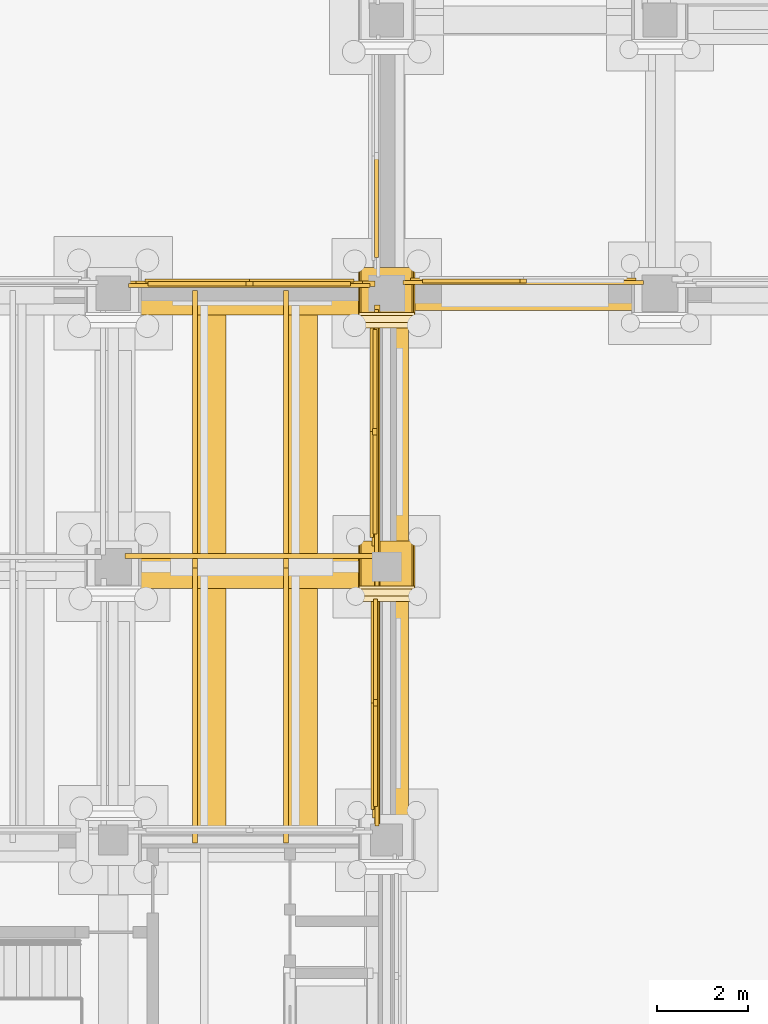
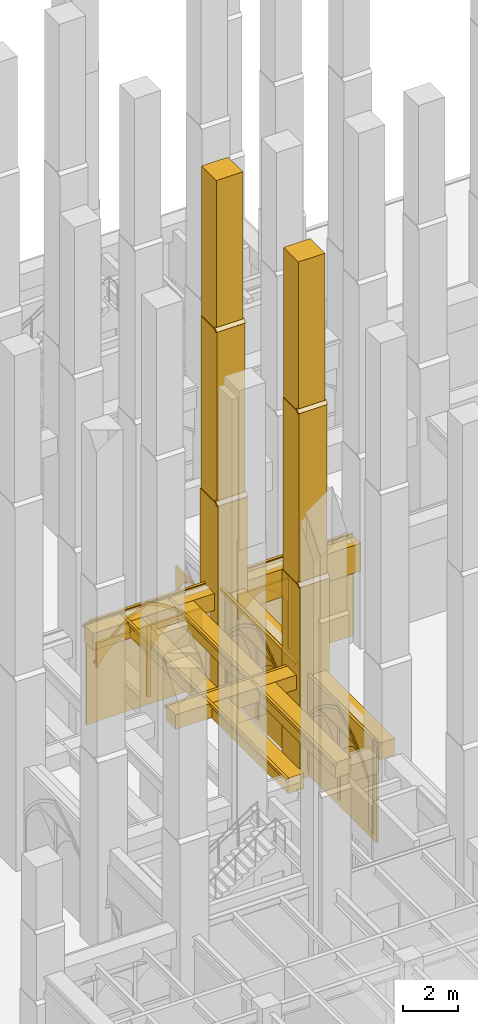
# One storey, part 87 of 135: 50 coverings.
"""IFC4 building model written with IfcOpenShell, lengths in metres."""

from ifc_helpers import new_model, si_unit, direction, frame, origin, origin_2d, place, context, subcontext, project, spatial, polyline, rectangle, outline, extrude, material, type_object, element, save


model = new_model("IFC4")

# Units and contexts
model_context = context("Model", 3, precision=1e-05, world=origin(), true_north=direction((0.0, 1.0)))
body_context = subcontext(model_context, "Body", "Model", "MODEL_VIEW")
ifc_project = project(units=[si_unit("LENGTHUNIT", "METRE"), si_unit("AREAUNIT", "SQUARE_METRE"), si_unit("VOLUMEUNIT", "CUBIC_METRE"), si_unit("PLANEANGLEUNIT", "RADIAN"), si_unit("MASSUNIT", "GRAM", prefix="KILO")], contexts=[model_context])

# Site, building, storey
site_placement = place(None, origin())
site = spatial("IfcSite", under=ifc_project, at=site_placement, CompositionType="ELEMENT")
building_placement = place(site_placement, origin())
building = spatial("IfcBuilding", under=site, at=building_placement, Name="Cumevento Cable Car Station", CompositionType="ELEMENT")
storey_placement = place(building_placement, origin())
storey = spatial("IfcBuildingStorey", under=building, at=storey_placement, Name="L01", CompositionType="ELEMENT", Elevation=0.0)

# Coverings
ifc_material = material(Name="Gnaisse Facoidal Stone Ashlar 85 MPa", Category="masonry")
covering_type = type_object("IfcCoveringType", Name="Gnaisse Ashlar Cladding CV-CL01", PredefinedType="CLADDING", material=ifc_material)
covering_1_placement = place(storey_placement, frame((22.0, 38.909912109375, -0.06005859375), z_axis=(0.0, 0.0, 1.0), x_axis=(1.0, 0.0, 0.0)))
element("IfcCovering", 1, at=covering_1_placement, inside=storey, type_object=covering_type, Name="Stepped Gothic Stone Buttress Tier 1 bt:22.0:39.0", PredefinedType="CLADDING", context=body_context, shape_type="SweptSolid", body=[
    extrude(rectangle(XDim=1.239990234375, YDim=1.300048828125, at=origin_2d()), origin(), (0.0, 0.0, 1.0), 8.595703125),
])
covering_2_placement = place(storey_placement, frame((21.360107421875, 38.239990234375, 8.515625), z_axis=(0.0, -0.711135781079, 0.703054692658), x_axis=(1.0, 0.0, 0.0)))
element("IfcCovering", 2, at=covering_2_placement, inside=storey, type_object=covering_type, Name="Gothic Buttress Sloped Stone Weathering 1 bt:22.0:39.0", PredefinedType="CLADDING", context=body_context, shape_type="SweptSolid", body=[
    extrude(outline(polyline([(0.0, 0.0), (1.27978515625, 0.0), (1.27978515625, 0.24169083397703695), (0.0, 0.24169083397703695), (0.0, 0.0)])), origin(), (0.0, 0.0, -1.0), 0.090087890625),
])
covering_3_placement = place(storey_placement, frame((22.0, 38.969970703125, 8.0830078125), z_axis=(0.0, 0.0, 1.0), x_axis=(1.0, 0.0, 0.0)))
element("IfcCovering", 3, at=covering_3_placement, inside=storey, type_object=covering_type, Name="Stepped Gothic Stone Buttress Tier 2 bt:22.0:39.0", PredefinedType="CLADDING", context=body_context, shape_type="SweptSolid", body=[
    extrude(rectangle(XDim=1.179931640625, YDim=1.179931640625, at=origin_2d()), origin(), (0.0, 0.0, 1.0), 8.143310546875),
])
covering_4_placement = place(storey_placement, frame((21.389892578125, 38.360107421875, 16.206298828125), z_axis=(0.0, -0.714474823669, 0.699661151089), x_axis=(1.0, 0.0, 0.0)))
element("IfcCovering", 4, at=covering_4_placement, inside=storey, type_object=covering_type, Name="Gothic Buttress Sloped Stone Weathering 2 bt:22.0:39.0", PredefinedType="CLADDING", context=body_context, shape_type="SweptSolid", body=[
    extrude(outline(polyline([(0.0, 0.0), (1.22021484375, 0.0), (1.22021484375, 0.21424991728737655), (0.0, 0.21424991728737655), (0.0, 0.0)])), origin(), (0.0, 0.0, -1.0), 0.090087890625),
])
covering_5_placement = place(storey_placement, frame((22.0, 39.02001953125, 15.77392578125), z_axis=(0.0, 0.0, 1.0), x_axis=(1.0, 0.0, 0.0)))
element("IfcCovering", 5, at=covering_5_placement, inside=storey, type_object=covering_type, Name="Stepped Gothic Stone Buttress Tier 3 bt:22.0:39.0", PredefinedType="CLADDING", context=body_context, shape_type="SweptSolid", body=[
    extrude(rectangle(XDim=1.1201171875, YDim=1.080078125, at=origin_2d()), origin(), (0.0, 0.0, 1.0), 7.1259765625),
])
covering_6_placement = place(storey_placement, frame((22.0, 44.909912109375, -0.06005859375), z_axis=(0.0, 0.0, 1.0), x_axis=(1.0, 0.0, 0.0)))
element("IfcCovering", 6, at=covering_6_placement, inside=storey, type_object=covering_type, Name="Stepped Gothic Stone Buttress Tier 1 bt:22.0:45.0", PredefinedType="CLADDING", context=body_context, shape_type="SweptSolid", body=[
    extrude(rectangle(XDim=1.239990234375, YDim=1.300048828125, at=origin_2d()), origin(), (0.0, 0.0, 1.0), 8.595703125),
])
covering_7_placement = place(storey_placement, frame((21.360107421875, 44.239990234375, 8.515625), z_axis=(0.0, -0.711135781079, 0.703054692658), x_axis=(1.0, 0.0, 0.0)))
element("IfcCovering", 7, at=covering_7_placement, inside=storey, type_object=covering_type, Name="Gothic Buttress Sloped Stone Weathering 1 bt:22.0:45.0", PredefinedType="CLADDING", context=body_context, shape_type="SweptSolid", body=[
    extrude(outline(polyline([(0.0, 0.0), (1.27978515625, 0.0), (1.27978515625, 0.24169083397703695), (0.0, 0.24169083397703695), (0.0, 0.0)])), origin(), (0.0, 0.0, -1.0), 0.090087890625),
])
covering_8_placement = place(storey_placement, frame((22.0, 44.969970703125, 8.0830078125), z_axis=(0.0, 0.0, 1.0), x_axis=(1.0, 0.0, 0.0)))
element("IfcCovering", 8, at=covering_8_placement, inside=storey, type_object=covering_type, Name="Stepped Gothic Stone Buttress Tier 2 bt:22.0:45.0", PredefinedType="CLADDING", context=body_context, shape_type="SweptSolid", body=[
    extrude(rectangle(XDim=1.179931640625, YDim=1.179931640625, at=origin_2d()), origin(), (0.0, 0.0, 1.0), 8.143310546875),
])
covering_9_placement = place(storey_placement, frame((21.389892578125, 44.360107421875, 16.206298828125), z_axis=(0.0, -0.714474823669, 0.699661151089), x_axis=(1.0, 0.0, 0.0)))
element("IfcCovering", 9, at=covering_9_placement, inside=storey, type_object=covering_type, Name="Gothic Buttress Sloped Stone Weathering 2 bt:22.0:45.0", PredefinedType="CLADDING", context=body_context, shape_type="SweptSolid", body=[
    extrude(outline(polyline([(0.0, 0.0), (1.22021484375, 0.0), (1.22021484375, 0.21424991728737655), (0.0, 0.21424991728737655), (0.0, 0.0)])), origin(), (0.0, 0.0, -1.0), 0.090087890625),
])
covering_10_placement = place(storey_placement, frame((22.0, 45.02001953125, 15.77392578125), z_axis=(0.0, 0.0, 1.0), x_axis=(1.0, 0.0, 0.0)))
element("IfcCovering", 10, at=covering_10_placement, inside=storey, type_object=covering_type, Name="Stepped Gothic Stone Buttress Tier 3 bt:22.0:45.0", PredefinedType="CLADDING", context=body_context, shape_type="SweptSolid", body=[
    extrude(rectangle(XDim=1.1201171875, YDim=1.080078125, at=origin_2d()), origin(), (0.0, 0.0, 1.0), 7.1259765625),
])
covering_11_placement = place(storey_placement, frame((19.03759765625, 38.863525390625, 3.803955078125), z_axis=(0.0, 0.0, 1.0), x_axis=(1.0, 0.0, 0.0)))
element("IfcCovering", 11, at=covering_11_placement, inside=storey, type_object=covering_type, Name="Gothic Stone Spandrel Stringcourse sc:0067", PredefinedType="CLADDING", context=body_context, shape_type="SweptSolid", body=[
    extrude(rectangle(XDim=5.514892578125, YDim=0.68701171875, at=origin_2d()), origin(), (0.0, 0.0, 1.0), 0.64599609375),
])
covering_12_placement = place(storey_placement, frame((19.03759765625, 39.234619140625, 4.320068359375), z_axis=(0.0, 0.0, 1.0), x_axis=(1.0, 0.0, 0.0)))
element("IfcCovering", 12, at=covering_12_placement, inside=storey, type_object=covering_type, Name="Gothic Cornice Dripstone Lip sc:0067", PredefinedType="CLADDING", context=body_context, shape_type="SweptSolid", body=[
    extrude(rectangle(XDim=5.554931640625, YDim=0.114990234375, at=origin_2d()), origin(), (0.0, 0.0, 1.0), 0.1298828125),
])
covering_13_placement = place(storey_placement, frame((18.987548828125, 44.85009765625, 3.702880859375), z_axis=(0.0, 0.0, 1.0), x_axis=(1.0, 0.0, 0.0)))
element("IfcCovering", 13, at=covering_13_placement, inside=storey, type_object=covering_type, Name="Gothic Stone Spandrel Stringcourse sc:0069", PredefinedType="CLADDING", context=body_context, shape_type="SweptSolid", body=[
    extrude(rectangle(XDim=5.465087890625, YDim=0.659912109375, at=origin_2d()), origin(), (0.0, 0.0, 1.0), 0.7470703125),
])
covering_14_placement = place(storey_placement, frame((18.987548828125, 45.20751953125, 4.320068359375), z_axis=(0.0, 0.0, 1.0), x_axis=(1.0, 0.0, 0.0)))
element("IfcCovering", 14, at=covering_14_placement, inside=storey, type_object=covering_type, Name="Gothic Cornice Dripstone Lip sc:0069", PredefinedType="CLADDING", context=body_context, shape_type="SweptSolid", body=[
    extrude(rectangle(XDim=5.5048828125, YDim=0.114990234375, at=origin_2d()), origin(), (0.0, 0.0, 1.0), 0.1298828125),
])
covering_15_placement = place(storey_placement, frame((22.14990234375, 36.012451171875, 3.702880859375), z_axis=(0.0, 0.0, 1.0), x_axis=(0.0, 1.0, 0.0)))
element("IfcCovering", 15, at=covering_15_placement, inside=storey, type_object=covering_type, Name="Gothic Stone Spandrel Stringcourse sc:0074", PredefinedType="CLADDING", context=body_context, shape_type="SweptSolid", body=[
    extrude(rectangle(XDim=5.56494140625, YDim=0.659912109375, at=origin_2d()), origin(), (0.0, 0.0, 1.0), 0.7470703125),
])
covering_16_placement = place(storey_placement, frame((21.79248046875, 36.012451171875, 4.320068359375), z_axis=(0.0, 0.0, 1.0), x_axis=(0.0, 1.0, 0.0)))
element("IfcCovering", 16, at=covering_16_placement, inside=storey, type_object=covering_type, Name="Gothic Cornice Dripstone Lip sc:0074", PredefinedType="CLADDING", context=body_context, shape_type="SweptSolid", body=[
    extrude(rectangle(XDim=5.60498046875, YDim=0.114990234375, at=origin_2d()), origin(), (0.0, 0.0, 1.0), 0.1298828125),
])
covering_17_placement = place(storey_placement, frame((22.14990234375, 41.96240234375, 3.702880859375), z_axis=(0.0, 0.0, 1.0), x_axis=(0.0, 1.0, 0.0)))
element("IfcCovering", 17, at=covering_17_placement, inside=storey, type_object=covering_type, Name="Gothic Stone Spandrel Stringcourse sc:0075", PredefinedType="CLADDING", context=body_context, shape_type="SweptSolid", body=[
    extrude(rectangle(XDim=5.514892578125, YDim=0.659912109375, at=origin_2d()), origin(), (0.0, 0.0, 1.0), 0.7470703125),
])
covering_18_placement = place(storey_placement, frame((21.79248046875, 41.96240234375, 4.320068359375), z_axis=(0.0, 0.0, 1.0), x_axis=(0.0, 1.0, 0.0)))
element("IfcCovering", 18, at=covering_18_placement, inside=storey, type_object=covering_type, Name="Gothic Cornice Dripstone Lip sc:0075", PredefinedType="CLADDING", context=body_context, shape_type="SweptSolid", body=[
    extrude(rectangle(XDim=5.554931640625, YDim=0.114990234375, at=origin_2d()), origin(), (0.0, 0.0, 1.0), 0.1298828125),
])
covering_19_placement = place(storey_placement, frame((25.0, 44.860107421875, 3.2099609375), z_axis=(0.0, 0.0, 1.0), x_axis=(1.0, 0.0, 0.0)))
element("IfcCovering", 19, at=covering_19_placement, inside=storey, type_object=covering_type, Name="Gothic Stone Spandrel Stringcourse sc:0076", PredefinedType="CLADDING", context=body_context, shape_type="SweptSolid", body=[
    extrude(rectangle(XDim=5.260009765625, YDim=0.47998046875, at=origin_2d()), origin(), (0.0, 0.0, 1.0), 1.239990234375),
])
covering_20_placement = place(storey_placement, frame((18.14990234375, 35.9814453125, 3.7548828125), z_axis=(0.0, 0.0, 1.0), x_axis=(0.0, 1.0, 0.0)))
element("IfcCovering", 20, at=covering_20_placement, inside=storey, type_object=covering_type, Name="Gothic Stone Spandrel Stringcourse sc:0254", PredefinedType="CLADDING", context=body_context, shape_type="SweptSolid", body=[
    extrude(rectangle(XDim=6.047119140625, YDim=0.659912109375, at=origin_2d()), origin(), (0.0, 0.0, 1.0), 0.695068359375),
])
covering_21_placement = place(storey_placement, frame((17.79248046875, 35.9814453125, 4.320068359375), z_axis=(0.0, 0.0, 1.0), x_axis=(0.0, 1.0, 0.0)))
element("IfcCovering", 21, at=covering_21_placement, inside=storey, type_object=covering_type, Name="Gothic Cornice Dripstone Lip sc:0254", PredefinedType="CLADDING", context=body_context, shape_type="SweptSolid", body=[
    extrude(rectangle(XDim=6.0869140625, YDim=0.114990234375, at=origin_2d()), origin(), (0.0, 0.0, 1.0), 0.1298828125),
])
covering_22_placement = place(storey_placement, frame((18.14990234375, 42.01904296875, 3.7548828125), z_axis=(0.0, 0.0, 1.0), x_axis=(0.0, 1.0, 0.0)))
element("IfcCovering", 22, at=covering_22_placement, inside=storey, type_object=covering_type, Name="Gothic Stone Spandrel Stringcourse sc:0255", PredefinedType="CLADDING", context=body_context, shape_type="SweptSolid", body=[
    extrude(rectangle(XDim=6.048095703125, YDim=0.659912109375, at=origin_2d()), origin(), (0.0, 0.0, 1.0), 0.695068359375),
])
covering_23_placement = place(storey_placement, frame((17.79248046875, 42.01904296875, 4.320068359375), z_axis=(0.0, 0.0, 1.0), x_axis=(0.0, 1.0, 0.0)))
element("IfcCovering", 23, at=covering_23_placement, inside=storey, type_object=covering_type, Name="Gothic Cornice Dripstone Lip sc:0255", PredefinedType="CLADDING", context=body_context, shape_type="SweptSolid", body=[
    extrude(rectangle(XDim=6.087890625, YDim=0.114990234375, at=origin_2d()), origin(), (0.0, 0.0, 1.0), 0.1298828125),
])
covering_24_placement = place(storey_placement, frame((20.14990234375, 35.9814453125, 3.7548828125), z_axis=(0.0, 0.0, 1.0), x_axis=(0.0, 1.0, 0.0)))
element("IfcCovering", 24, at=covering_24_placement, inside=storey, type_object=covering_type, Name="Gothic Stone Spandrel Stringcourse sc:0256", PredefinedType="CLADDING", context=body_context, shape_type="SweptSolid", body=[
    extrude(rectangle(XDim=6.047119140625, YDim=0.659912109375, at=origin_2d()), origin(), (0.0, 0.0, 1.0), 0.695068359375),
])
covering_25_placement = place(storey_placement, frame((19.79248046875, 35.9814453125, 4.320068359375), z_axis=(0.0, 0.0, 1.0), x_axis=(0.0, 1.0, 0.0)))
element("IfcCovering", 25, at=covering_25_placement, inside=storey, type_object=covering_type, Name="Gothic Cornice Dripstone Lip sc:0256", PredefinedType="CLADDING", context=body_context, shape_type="SweptSolid", body=[
    extrude(rectangle(XDim=6.0869140625, YDim=0.114990234375, at=origin_2d()), origin(), (0.0, 0.0, 1.0), 0.1298828125),
])
covering_26_placement = place(storey_placement, frame((20.14990234375, 42.01904296875, 3.7548828125), z_axis=(0.0, 0.0, 1.0), x_axis=(0.0, 1.0, 0.0)))
element("IfcCovering", 26, at=covering_26_placement, inside=storey, type_object=covering_type, Name="Gothic Stone Spandrel Stringcourse sc:0257", PredefinedType="CLADDING", context=body_context, shape_type="SweptSolid", body=[
    extrude(rectangle(XDim=6.048095703125, YDim=0.659912109375, at=origin_2d()), origin(), (0.0, 0.0, 1.0), 0.695068359375),
])
covering_27_placement = place(storey_placement, frame((19.79248046875, 42.01904296875, 4.320068359375), z_axis=(0.0, 0.0, 1.0), x_axis=(0.0, 1.0, 0.0)))
element("IfcCovering", 27, at=covering_27_placement, inside=storey, type_object=covering_type, Name="Gothic Cornice Dripstone Lip sc:0257", PredefinedType="CLADDING", context=body_context, shape_type="SweptSolid", body=[
    extrude(rectangle(XDim=6.087890625, YDim=0.114990234375, at=origin_2d()), origin(), (0.0, 0.0, 1.0), 0.1298828125),
])
covering_28_placement = place(storey_placement, frame((16.375, 45.0, 0.0), z_axis=(0.0, 0.0, 1.0), x_axis=(1.0, 0.0, 0.0)))
element("IfcCovering", 28, at=covering_28_placement, inside=storey, type_object=covering_type, Name="Exterior Gnaisse Stone Wall Ashlar #6", PredefinedType="CLADDING", context=body_context, shape_type="SweptSolid", body=[
    extrude(outline(polyline([(-0.0400390625, -0.02001953125), (5.264892578125, -0.02001953125), (5.264892578125, 4.52001953125), (-0.0400390625, 4.52001953125), (-0.0400390625, -0.02001953125)])), frame((0.0, 0.215087890625, 0.0), z_axis=(0.0, -1.0, 0.0), x_axis=(1.0, 0.0, 0.0)), (0.0, 0.0, 1.0), 0.0849609375),
])
placement_1 = place(storey_placement, frame((16.554931640625, 45.0, 0.300048828125), z_axis=(0.0, 0.0, 1.0), x_axis=(1.0, 0.0, 0.0)))
element("IfcCovering", 29, at=placement_1, inside=storey, type_object=covering_type, Name="Gothic Ogival Pointed-Arch Stone Spandrel blind_ogival:0006", PredefinedType="CLADDING", context=body_context, shape_type="SweptSolid", body=[
    extrude(outline(polyline([(-0.050048828125, 0.0), (-0.050048828125, 4.239990234375), (4.9150390625, 4.239990234375), (4.9150390625, 0.0), (4.60498046875, 0.0), (4.60498046875, 2.219970703125), (4.37158203125, 2.556884765625), (4.1083984375, 2.87109375), (3.81787109375, 3.159912109375), (3.50244140625, 3.42138671875), (3.16455078125, 3.653076171875), (2.806884765625, 3.853271484375), (2.4326171875, 4.02001953125), (2.05810546875, 3.853271484375), (1.700439453125, 3.653076171875), (1.362548828125, 3.42138671875), (1.047119140625, 3.159912109375), (0.756591796875, 2.87109375), (0.493408203125, 2.556884765625), (0.260009765625, 2.219970703125), (0.260009765625, 0.0), (-0.050048828125, 0.0)])), frame((0.0, 0.27001953125, 0.0), z_axis=(0.0, -1.0, 0.0), x_axis=(1.0, 0.0, 0.0)), (0.0, 0.0, 1.0), 0.110107421875),
])
covering_30_placement = place(storey_placement, frame((16.554931640625, 45.0, 2.52001953125), z_axis=(0.0, 0.0, 1.0), x_axis=(1.0, 0.0, 0.0)))
element("IfcCovering", 30, at=covering_30_placement, inside=storey, type_object=covering_type, Name="Gothic Pointed Archivolt Hood Moulding blind_ogival:0006", PredefinedType="CLADDING", context=body_context, shape_type="SweptSolid", body=[
    extrude(outline(polyline([(0.260009765625, 0.0), (0.493408203125, 0.3369140625), (0.756591796875, 0.651123046875), (1.047119140625, 0.93994140625), (1.362548828125, 1.201416015625), (1.700439453125, 1.43310546875), (2.05810546875, 1.63330078125), (2.4326171875, 1.800048828125), (2.806884765625, 1.63330078125), (3.16455078125, 1.43310546875), (3.50244140625, 1.201416015625), (3.81787109375, 0.93994140625), (4.1083984375, 0.651123046875), (4.37158203125, 0.3369140625), (4.60498046875, 0.0), (4.72607421875, 0.0), (4.483154296875, 0.3642578125), (4.207763671875, 0.704345703125), (3.902099609375, 1.017578125), (3.56884765625, 1.301025390625), (3.210693359375, 1.552734375), (2.830810546875, 1.77001953125), (2.4326171875, 1.951171875), (2.0341796875, 1.77001953125), (1.654296875, 1.552734375), (1.296142578125, 1.301025390625), (0.962890625, 1.017578125), (0.6572265625, 0.704345703125), (0.3818359375, 0.3642578125), (0.138916015625, 0.0), (0.260009765625, 0.0)])), frame((0.0, 0.31201171875, 0.0), z_axis=(0.0, -1.0, 0.0), x_axis=(1.0, 0.0, 0.0)), (0.0, 0.0, 1.0), 0.06689453125),
])
element("IfcCovering", 31, at=placement_1, inside=storey, type_object=covering_type, Name="Gothic Bifora Stone Colonnette blind_ogival:0006 #1", PredefinedType="CLADDING", context=body_context, shape_type="SweptSolid", body=[
    extrude(outline(polyline([(2.357421875, -0.02001953125), (2.507568359375, -0.02001953125), (2.507568359375, 3.156005859375), (2.357421875, 3.156005859375), (2.357421875, -0.02001953125)])), frame((0.0, 0.258056640625, 0.0), z_axis=(0.0, -1.0, 0.0), x_axis=(1.0, 0.0, 0.0)), (0.0, 0.0, 1.0), 0.094970703125),
])
for number, where, z_axis, x_axis, name in (
    (32, (16.784912109375, 45.0, 2.340087890625), (0.0, 0.0, 1.0), (1.0, 0.0, 0.0), "Gothic Ogival Pointed-Arch Stone Spandrel blind_ogival:0006:sub:0"),
    (33, (19.032470703125, 45.0, 2.340087890625), (0.0, 0.0, 1.0), (1.0, 0.0, 0.0), "Gothic Ogival Pointed-Arch Stone Spandrel blind_ogival:0006:sub:1"),
):
    element("IfcCovering", number, at=place(storey_placement, frame(where, z_axis=z_axis, x_axis=x_axis)), inside=storey, type_object=covering_type, Name=name, PredefinedType="CLADDING", context=body_context, shape_type="SweptSolid", body=[
        extrude(outline(polyline([(-0.02001953125, 0.0), (-0.02001953125, 1.115966796875), (2.177490234375, 1.115966796875), (2.177490234375, 0.0), (2.117431640625, 0.0), (1.997314453125, 0.213134765625), (1.85302734375, 0.410888671875), (1.6865234375, 0.59033203125), (1.500244140625, 0.7490234375), (1.296875, 0.884765625), (1.078857421875, 0.99609375), (0.860595703125, 0.884765625), (0.6572265625, 0.7490234375), (0.470947265625, 0.59033203125), (0.304443359375, 0.410888671875), (0.16015625, 0.213134765625), (0.0400390625, 0.0), (-0.02001953125, 0.0)])), frame((0.0, 0.25390625, 0.0), z_axis=(0.0, -1.0, 0.0), x_axis=(1.0, 0.0, 0.0)), (0.0, 0.0, 1.0), 0.090087890625),
    ])
covering_32_placement = place(storey_placement, frame((22.0, 33.35009765625, 0.0), z_axis=(0.0, 0.0, 1.0), x_axis=(0.0, 1.0, 0.0)))
element("IfcCovering", 34, at=covering_32_placement, inside=storey, type_object=covering_type, Name="Exterior Gnaisse Stone Wall Ashlar #9", PredefinedType="CLADDING", context=body_context, shape_type="SweptSolid", body=[
    extrude(outline(polyline([(-0.0400390625, -0.02001953125), (5.364990234375, -0.02001953125), (5.364990234375, 4.52001953125), (-0.0400390625, 4.52001953125), (-0.0400390625, -0.02001953125)])), frame((0.0, 0.25, 0.0), z_axis=(0.0, -1.0, 0.0), x_axis=(1.0, 0.0, 0.0)), (0.0, 0.0, 1.0), 0.0849609375),
])
placement_2 = place(storey_placement, frame((22.0, 33.530029296875, 0.300048828125), z_axis=(0.0, 0.0, 1.0), x_axis=(0.0, 1.0, 0.0)))
element("IfcCovering", 35, at=placement_2, inside=storey, type_object=covering_type, Name="Gothic Ogival Pointed-Arch Stone Spandrel blind_ogival:0009", PredefinedType="CLADDING", context=body_context, shape_type="SweptSolid", body=[
    extrude(outline(polyline([(-0.050048828125, 0.0), (-0.050048828125, 4.239990234375), (5.014892578125, 4.239990234375), (5.014892578125, 0.0), (4.705078125, 0.0), (4.705078125, 2.219970703125), (4.46337890625, 2.557373046875), (4.1923828125, 2.8720703125), (3.894287109375, 3.1611328125), (3.57177734375, 3.42236328125), (3.22705078125, 3.65380859375), (2.863037109375, 3.853515625), (2.482421875, 4.02001953125), (2.10205078125, 3.853515625), (1.738037109375, 3.65380859375), (1.393310546875, 3.42236328125), (1.07080078125, 3.1611328125), (0.772705078125, 2.8720703125), (0.501708984375, 2.557373046875), (0.260009765625, 2.219970703125), (0.260009765625, 0.0), (-0.050048828125, 0.0)])), frame((0.0, 0.304931640625, 0.0), z_axis=(0.0, -1.0, 0.0), x_axis=(1.0, 0.0, 0.0)), (0.0, 0.0, 1.0), 0.110107421875),
])
covering_34_placement = place(storey_placement, frame((22.0, 33.530029296875, 2.52001953125), z_axis=(0.0, 0.0, 1.0), x_axis=(0.0, 1.0, 0.0)))
element("IfcCovering", 36, at=covering_34_placement, inside=storey, type_object=covering_type, Name="Gothic Pointed Archivolt Hood Moulding blind_ogival:0009", PredefinedType="CLADDING", context=body_context, shape_type="SweptSolid", body=[
    extrude(outline(polyline([(0.260009765625, 0.0), (0.501708984375, 0.33740234375), (0.772705078125, 0.652099609375), (1.07080078125, 0.941162109375), (1.393310546875, 1.202392578125), (1.738037109375, 1.433837890625), (2.10205078125, 1.633544921875), (2.482421875, 1.800048828125), (2.863037109375, 1.633544921875), (3.22705078125, 1.433837890625), (3.57177734375, 1.202392578125), (3.894287109375, 0.941162109375), (4.1923828125, 0.652099609375), (4.46337890625, 0.33740234375), (4.705078125, 0.0), (4.825927734375, 0.0), (4.574951171875, 0.364990234375), (4.291748046875, 0.70556640625), (3.978515625, 1.018798828125), (3.637939453125, 1.30224609375), (3.273193359375, 1.553466796875), (2.886962890625, 1.7705078125), (2.482421875, 1.951171875), (2.078125, 1.7705078125), (1.69189453125, 1.553466796875), (1.3271484375, 1.30224609375), (0.986572265625, 1.018798828125), (0.67333984375, 0.70556640625), (0.39013671875, 0.364990234375), (0.138916015625, 0.0), (0.260009765625, 0.0)])), frame((0.0, 0.346923828125, 0.0), z_axis=(0.0, -1.0, 0.0), x_axis=(1.0, 0.0, 0.0)), (0.0, 0.0, 1.0), 0.06689453125),
])
element("IfcCovering", 37, at=placement_2, inside=storey, type_object=covering_type, Name="Gothic Bifora Stone Colonnette blind_ogival:0009 #1", PredefinedType="CLADDING", context=body_context, shape_type="SweptSolid", body=[
    extrude(outline(polyline([(2.407470703125, -0.02001953125), (2.5576171875, -0.02001953125), (2.5576171875, 3.156005859375), (2.407470703125, 3.156005859375), (2.407470703125, -0.02001953125)])), frame((0.0, 0.29296875, 0.0), z_axis=(0.0, -1.0, 0.0), x_axis=(1.0, 0.0, 0.0)), (0.0, 0.0, 1.0), 0.094970703125),
])
for number, where, z_axis, x_axis, name in (
    (38, (22.0, 33.760009765625, 2.340087890625), (0.0, 0.0, 1.0), (0.0, 1.0, 0.0), "Gothic Ogival Pointed-Arch Stone Spandrel blind_ogival:0009:sub:0"),
    (39, (22.0, 36.0576171875, 2.340087890625), (0.0, 0.0, 1.0), (0.0, 1.0, 0.0), "Gothic Ogival Pointed-Arch Stone Spandrel blind_ogival:0009:sub:1"),
):
    element("IfcCovering", number, at=place(storey_placement, frame(where, z_axis=z_axis, x_axis=x_axis)), inside=storey, type_object=covering_type, Name=name, PredefinedType="CLADDING", context=body_context, shape_type="SweptSolid", body=[
        extrude(outline(polyline([(-0.02001953125, 0.0), (-0.02001953125, 1.115966796875), (2.2275390625, 1.115966796875), (2.2275390625, 0.0), (2.16748046875, 0.0), (2.04248046875, 0.213623046875), (1.893310546875, 0.41162109375), (1.72265625, 0.591064453125), (1.532470703125, 0.74951171875), (1.3251953125, 0.88525390625), (1.103759765625, 0.99609375), (0.88232421875, 0.88525390625), (0.675048828125, 0.74951171875), (0.48486328125, 0.591064453125), (0.314208984375, 0.41162109375), (0.1650390625, 0.213623046875), (0.0400390625, 0.0), (-0.02001953125, 0.0)])), frame((0.0, 0.2890625, 0.0), z_axis=(0.0, -1.0, 0.0), x_axis=(1.0, 0.0, 0.0)), (0.0, 0.0, 1.0), 0.090087890625),
    ])
covering_36_placement = place(storey_placement, frame((22.0, 39.324951171875, 0.0), z_axis=(0.0, 0.0, 1.0), x_axis=(0.0, 1.0, 0.0)))
element("IfcCovering", 40, at=covering_36_placement, inside=storey, type_object=covering_type, Name="Exterior Gnaisse Stone Wall Ashlar #10", PredefinedType="CLADDING", context=body_context, shape_type="SweptSolid", body=[
    extrude(outline(polyline([(-0.0400390625, -0.02001953125), (5.31494140625, -0.02001953125), (5.31494140625, 4.52001953125), (-0.0400390625, 4.52001953125), (-0.0400390625, -0.02001953125)])), frame((0.0, 0.262451171875, 0.0), z_axis=(0.0, -1.0, 0.0), x_axis=(1.0, 0.0, 0.0)), (0.0, 0.0, 1.0), 0.0849609375),
])
placement_3 = place(storey_placement, frame((22.0, 39.5048828125, 0.300048828125), z_axis=(0.0, 0.0, 1.0), x_axis=(0.0, 1.0, 0.0)))
element("IfcCovering", 41, at=placement_3, inside=storey, type_object=covering_type, Name="Gothic Ogival Pointed-Arch Stone Spandrel blind_ogival:0010", PredefinedType="CLADDING", context=body_context, shape_type="SweptSolid", body=[
    extrude(outline(polyline([(-0.050048828125, 0.0), (-0.050048828125, 4.239990234375), (4.965087890625, 4.239990234375), (4.965087890625, 0.0), (4.655029296875, 0.0), (4.655029296875, 2.219970703125), (4.41748046875, 2.55712890625), (4.150390625, 2.87158203125), (3.856201171875, 3.16064453125), (3.537109375, 3.421875), (3.19580078125, 3.653564453125), (2.8349609375, 3.853515625), (2.45751953125, 4.02001953125), (2.080078125, 3.853515625), (1.71923828125, 3.653564453125), (1.3779296875, 3.421875), (1.058837890625, 3.16064453125), (0.7646484375, 2.87158203125), (0.49755859375, 2.55712890625), (0.260009765625, 2.219970703125), (0.260009765625, 0.0), (-0.050048828125, 0.0)])), frame((0.0, 0.3173828125, 0.0), z_axis=(0.0, -1.0, 0.0), x_axis=(1.0, 0.0, 0.0)), (0.0, 0.0, 1.0), 0.110107421875),
])
covering_38_placement = place(storey_placement, frame((22.0, 39.5048828125, 2.52001953125), z_axis=(0.0, 0.0, 1.0), x_axis=(0.0, 1.0, 0.0)))
element("IfcCovering", 42, at=covering_38_placement, inside=storey, type_object=covering_type, Name="Gothic Pointed Archivolt Hood Moulding blind_ogival:0010", PredefinedType="CLADDING", context=body_context, shape_type="SweptSolid", body=[
    extrude(outline(polyline([(0.260009765625, 0.0), (0.49755859375, 0.337158203125), (0.7646484375, 0.651611328125), (1.058837890625, 0.940673828125), (1.3779296875, 1.201904296875), (1.71923828125, 1.43359375), (2.080078125, 1.633544921875), (2.45751953125, 1.800048828125), (2.8349609375, 1.633544921875), (3.19580078125, 1.43359375), (3.537109375, 1.201904296875), (3.856201171875, 0.940673828125), (4.150390625, 0.651611328125), (4.41748046875, 0.337158203125), (4.655029296875, 0.0), (4.77587890625, 0.0), (4.529052734375, 0.364501953125), (4.249755859375, 0.704833984375), (3.9404296875, 1.01806640625), (3.603515625, 1.3017578125), (3.241943359375, 1.552978515625), (2.85888671875, 1.770263671875), (2.45751953125, 1.951171875), (2.05615234375, 1.770263671875), (1.673095703125, 1.552978515625), (1.3115234375, 1.3017578125), (0.974609375, 1.01806640625), (0.665283203125, 0.704833984375), (0.385986328125, 0.364501953125), (0.138916015625, 0.0), (0.260009765625, 0.0)])), frame((0.0, 0.359619140625, 0.0), z_axis=(0.0, -1.0, 0.0), x_axis=(1.0, 0.0, 0.0)), (0.0, 0.0, 1.0), 0.06689453125),
])
element("IfcCovering", 43, at=placement_3, inside=storey, type_object=covering_type, Name="Gothic Bifora Stone Colonnette blind_ogival:0010 #1", PredefinedType="CLADDING", context=body_context, shape_type="SweptSolid", body=[
    extrude(outline(polyline([(2.382568359375, -0.02001953125), (2.532470703125, -0.02001953125), (2.532470703125, 3.156005859375), (2.382568359375, 3.156005859375), (2.382568359375, -0.02001953125)])), frame((0.0, 0.305419921875, 0.0), z_axis=(0.0, -1.0, 0.0), x_axis=(1.0, 0.0, 0.0)), (0.0, 0.0, 1.0), 0.094970703125),
])
for number, where, z_axis, x_axis, name in (
    (44, (22.0, 39.735107421875, 2.340087890625), (0.0, 0.0, 1.0), (0.0, 1.0, 0.0), "Gothic Ogival Pointed-Arch Stone Spandrel blind_ogival:0010:sub:0"),
    (45, (22.0, 42.007568359375, 2.340087890625), (0.0, 0.0, 1.0), (0.0, 1.0, 0.0), "Gothic Ogival Pointed-Arch Stone Spandrel blind_ogival:0010:sub:1"),
):
    element("IfcCovering", number, at=place(storey_placement, frame(where, z_axis=z_axis, x_axis=x_axis)), inside=storey, type_object=covering_type, Name=name, PredefinedType="CLADDING", context=body_context, shape_type="SweptSolid", body=[
        extrude(outline(polyline([(-0.02001953125, 0.0), (-0.02001953125, 1.115966796875), (2.202392578125, 1.115966796875), (2.202392578125, 0.0), (2.142578125, 0.0), (2.02001953125, 0.21337890625), (1.873291015625, 0.4111328125), (1.704833984375, 0.590576171875), (1.5166015625, 0.749267578125), (1.31103515625, 0.885009765625), (1.09130859375, 0.99609375), (0.87158203125, 0.885009765625), (0.666015625, 0.749267578125), (0.477783203125, 0.590576171875), (0.309326171875, 0.4111328125), (0.16259765625, 0.21337890625), (0.0400390625, 0.0), (-0.02001953125, 0.0)])), frame((0.0, 0.301513671875, 0.0), z_axis=(0.0, -1.0, 0.0), x_axis=(1.0, 0.0, 0.0)), (0.0, 0.0, 1.0), 0.090087890625),
    ])
covering_40_placement = place(storey_placement, frame((22.39990234375, 45.0, 0.0), z_axis=(0.0, 0.0, 1.0), x_axis=(1.0, 0.0, 0.0)))
element("IfcCovering", 46, at=covering_40_placement, inside=storey, type_object=covering_type, Name="Exterior Gnaisse Stone Wall Ashlar #11", PredefinedType="CLADDING", context=body_context, shape_type="SweptSolid", body=[
    extrude(outline(polyline([(-0.0400390625, -0.02001953125), (5.239990234375, -0.02001953125), (5.239990234375, 4.52001953125), (-0.0400390625, 4.52001953125), (-0.0400390625, -0.02001953125)])), frame((0.0, 0.27490234375, 0.0), z_axis=(0.0, -1.0, 0.0), x_axis=(1.0, 0.0, 0.0)), (0.0, 0.0, 1.0), 0.0849609375),
])
placement_4 = place(storey_placement, frame((22.580078125, 45.0, 0.300048828125), z_axis=(0.0, 0.0, 1.0), x_axis=(1.0, 0.0, 0.0)))
element("IfcCovering", 47, at=placement_4, inside=storey, type_object=covering_type, Name="Gothic Ogival Pointed-Arch Stone Spandrel blind_ogival:0011", PredefinedType="CLADDING", context=body_context, shape_type="SweptSolid", body=[
    extrude(outline(polyline([(-0.050048828125, 0.0), (-0.050048828125, 4.239990234375), (4.889892578125, 4.239990234375), (4.889892578125, 0.0), (4.580078125, 0.0), (4.580078125, 2.219970703125), (4.3486328125, 2.556640625), (4.087646484375, 2.87060546875), (3.799072265625, 3.15966796875), (3.4853515625, 3.421142578125), (3.14892578125, 3.653076171875), (2.79296875, 3.85302734375), (2.419921875, 4.02001953125), (2.047119140625, 3.85302734375), (1.691162109375, 3.653076171875), (1.354736328125, 3.421142578125), (1.041015625, 3.15966796875), (0.75244140625, 2.87060546875), (0.491455078125, 2.556640625), (0.260009765625, 2.219970703125), (0.260009765625, 0.0), (-0.050048828125, 0.0)])), frame((0.0, 0.330078125, 0.0), z_axis=(0.0, -1.0, 0.0), x_axis=(1.0, 0.0, 0.0)), (0.0, 0.0, 1.0), 0.110107421875),
])
element("IfcCovering", 48, at=placement_4, inside=storey, type_object=covering_type, Name="Gothic Bifora Stone Colonnette blind_ogival:0011 #1", PredefinedType="CLADDING", context=body_context, shape_type="SweptSolid", body=[
    extrude(outline(polyline([(2.344970703125, -0.02001953125), (2.4951171875, -0.02001953125), (2.4951171875, 3.156005859375), (2.344970703125, 3.156005859375), (2.344970703125, -0.02001953125)])), frame((0.0, 0.318115234375, 0.0), z_axis=(0.0, -1.0, 0.0), x_axis=(1.0, 0.0, 0.0)), (0.0, 0.0, 1.0), 0.094970703125),
])
covering_43_placement = place(storey_placement, frame((22.81005859375, 45.0, 2.340087890625), z_axis=(0.0, 0.0, 1.0), x_axis=(1.0, 0.0, 0.0)))
element("IfcCovering", 49, at=covering_43_placement, inside=storey, type_object=covering_type, Name="Gothic Ogival Pointed-Arch Stone Spandrel blind_ogival:0011:sub:0", PredefinedType="CLADDING", context=body_context, shape_type="SweptSolid", body=[
    extrude(outline(polyline([(-0.02001953125, 0.0), (-0.02001953125, 1.115966796875), (2.1650390625, 1.115966796875), (2.1650390625, 0.0), (2.10498046875, 0.0), (1.986083984375, 0.213134765625), (1.843017578125, 0.41064453125), (1.677490234375, 0.590087890625), (1.492431640625, 0.748779296875), (1.289794921875, 0.884765625), (1.072509765625, 0.99609375), (0.855224609375, 0.884765625), (0.652587890625, 0.748779296875), (0.467529296875, 0.590087890625), (0.302001953125, 0.41064453125), (0.158935546875, 0.213134765625), (0.0400390625, 0.0), (-0.02001953125, 0.0)])), frame((0.0, 0.31396484375, 0.0), z_axis=(0.0, -1.0, 0.0), x_axis=(1.0, 0.0, 0.0)), (0.0, 0.0, 1.0), 0.090087890625),
])
covering_44_placement = place(storey_placement, frame((22.0, 45.81005859375, 2.340087890625), z_axis=(0.0, 0.0, 1.0), x_axis=(0.0, 1.0, 0.0)))
element("IfcCovering", 50, at=covering_44_placement, inside=storey, type_object=covering_type, Name="Gothic Ogival Pointed-Arch Stone Spandrel blind_ogival:0019:sub:0", PredefinedType="CLADDING", context=body_context, shape_type="SweptSolid", body=[
    extrude(outline(polyline([(-0.02001953125, 0.0), (-0.02001953125, 1.115966796875), (2.177490234375, 1.115966796875), (2.177490234375, 0.0), (2.117431640625, 0.0), (1.997314453125, 0.213134765625), (1.85302734375, 0.410888671875), (1.6865234375, 0.59033203125), (1.500244140625, 0.7490234375), (1.296875, 0.884765625), (1.078857421875, 0.99609375), (0.860595703125, 0.884765625), (0.6572265625, 0.7490234375), (0.470947265625, 0.59033203125), (0.304443359375, 0.410888671875), (0.16015625, 0.213134765625), (0.0400390625, 0.0), (-0.02001953125, 0.0)])), frame((0.0, 0.263916015625, 0.0), z_axis=(0.0, -1.0, 0.0), x_axis=(1.0, 0.0, 0.0)), (0.0, 0.0, 1.0), 0.090087890625),
])

save(model, "model.ifc")
